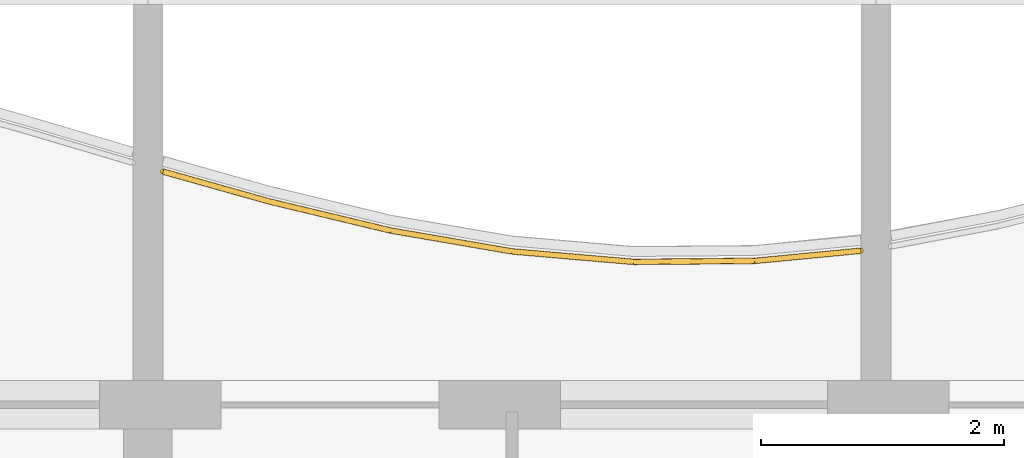
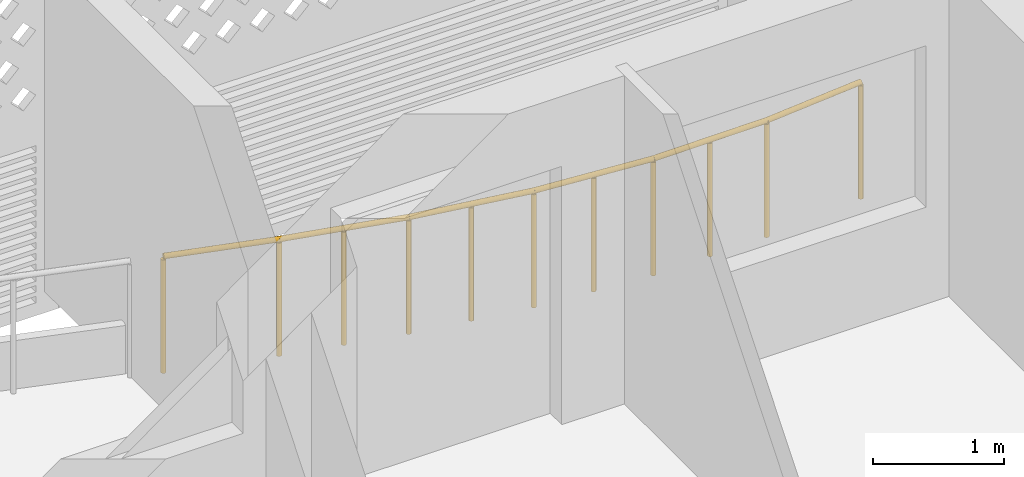
# One storey, part 33 of 39: 1 railing.
"""IFC4 building model written with IfcOpenShell, lengths in metres."""

from ifc_helpers import new_model, si_unit, direction, frame, origin, origin_2d, place, context, subcontext, project, spatial, circle, extrude, material, type_object, element, save


model = new_model("IFC4")

# Units and contexts
model_context = context("Model", 3, precision=1e-05, world=origin(), true_north=direction((0.0, 1.0)))
body_context = subcontext(model_context, "Body", "Model", "MODEL_VIEW")
ifc_project = project(units=[si_unit("LENGTHUNIT", "METRE"), si_unit("AREAUNIT", "SQUARE_METRE"), si_unit("VOLUMEUNIT", "CUBIC_METRE"), si_unit("PLANEANGLEUNIT", "RADIAN"), si_unit("MASSUNIT", "GRAM", prefix="KILO")], contexts=[model_context])

# Site, building, storey
site_placement = place(None, origin())
site = spatial("IfcSite", under=ifc_project, at=site_placement, CompositionType="ELEMENT")
building_placement = place(site_placement, origin())
building = spatial("IfcBuilding", under=site, at=building_placement, Name="Poui Terraces", CompositionType="ELEMENT")
storey_placement = place(building_placement, frame((0.0, 0.0, 59.699951171875)))
storey = spatial("IfcBuildingStorey", under=building, at=storey_placement, Name="L16", CompositionType="ELEMENT", Elevation=59.699951171875)

# Railing
ifc_material = material(Name="Painted steel fretwork", Category="steel")
railing_type = type_object("IfcRailingType", Name="BALCONY GUARD 1100", PredefinedType="GUARDRAIL", material=ifc_material)
railing_placement = place(storey_placement, frame((66.125, 46.72216796875, 0.0)))
element("IfcRailing", 1, at=railing_placement, inside=storey, type_object=railing_type, Name="BALCONY GUARD", PredefinedType="GUARDRAIL", context=body_context, shape_type="SweptSolid", body=[
    extrude(circle(Radius=0.02392578125, at=origin_2d()), frame((0.0, 0.0, 1.076171875), z_axis=(0.962720918379, -0.270496641966, 0.0), x_axis=(0.270496641966, 0.962720918379, 0.0)), (0.0, 0.0, 1.0), 0.908935546875),
    extrude(circle(Radius=0.02392578125, at=origin_2d()), frame((0.875, -0.245849609375, 1.076171875), z_axis=(0.972443304839, -0.233139483729, 0.0), x_axis=(0.233139483729, 0.972443304839, 0.0)), (0.0, 0.0, 1.0), 1.0283203125),
    extrude(circle(Radius=0.02392578125, at=origin_2d()), frame((1.875, -0.485595703125, 1.076171875), z_axis=(0.98554889076, -0.169391215599, 0.0), x_axis=(0.169391215599, 0.98554889076, 0.0)), (0.0, 0.0, 1.0), 1.0146484375),
    extrude(circle(Radius=0.02392578125, at=origin_2d()), frame((2.875, -0.657470703125, 1.076171875), z_axis=(0.996286084847, -0.086104803231, 0.0), x_axis=(0.086104803231, 0.996286084847, 0.0)), (0.0, 0.0, 1.0), 1.003662109375),
    extrude(circle(Radius=0.02392578125, at=origin_2d()), frame((3.875, -0.743896484375, 1.076171875), z_axis=(0.999967546851, 0.008056379162, 0.0), x_axis=(-0.008056379162, 0.999967546851, 0.0)), (0.0, 0.0, 1.0), 1.0),
    extrude(circle(Radius=0.02392578125, at=origin_2d()), frame((4.875, -0.73583984375, 1.076171875), z_axis=(0.995425298545, 0.095543053209, 0.0), x_axis=(-0.095543053209, 0.995425298545, 0.0)), (0.0, 0.0, 1.0), 0.87890625),
    extrude(circle(Radius=0.02099609375, at=origin_2d()), origin(), (0.0, 0.0, 1.0), 1.052001953125),
    extrude(circle(Radius=0.02099609375, at=origin_2d()), frame((0.875, -0.245849609375, 0.0)), (0.0, 0.0, 1.0), 1.052001953125),
    extrude(circle(Radius=0.02099609375, at=origin_2d()), frame((1.375, -0.36572265625, 0.0)), (0.0, 0.0, 1.0), 1.052001953125),
    extrude(circle(Radius=0.02099609375, at=origin_2d()), frame((1.875, -0.485595703125, 0.0)), (0.0, 0.0, 1.0), 1.052001953125),
    extrude(circle(Radius=0.02099609375, at=origin_2d()), frame((2.375, -0.571533203125, 0.0)), (0.0, 0.0, 1.0), 1.052001953125),
    extrude(circle(Radius=0.02099609375, at=origin_2d()), frame((2.875, -0.657470703125, 0.0)), (0.0, 0.0, 1.0), 1.052001953125),
    extrude(circle(Radius=0.02099609375, at=origin_2d()), frame((3.375, -0.70068359375, 0.0)), (0.0, 0.0, 1.0), 1.052001953125),
    extrude(circle(Radius=0.02099609375, at=origin_2d()), frame((3.875, -0.743896484375, 0.0)), (0.0, 0.0, 1.0), 1.052001953125),
    extrude(circle(Radius=0.02099609375, at=origin_2d()), frame((4.375, -0.73974609375, 0.0)), (0.0, 0.0, 1.0), 1.052001953125),
    extrude(circle(Radius=0.02099609375, at=origin_2d()), frame((4.875, -0.73583984375, 0.0)), (0.0, 0.0, 1.0), 1.052001953125),
    extrude(circle(Radius=0.02099609375, at=origin_2d()), frame((5.75, -0.65185546875, 0.0)), (0.0, 0.0, 1.0), 1.052001953125),
])

save(model, "model.ifc")
